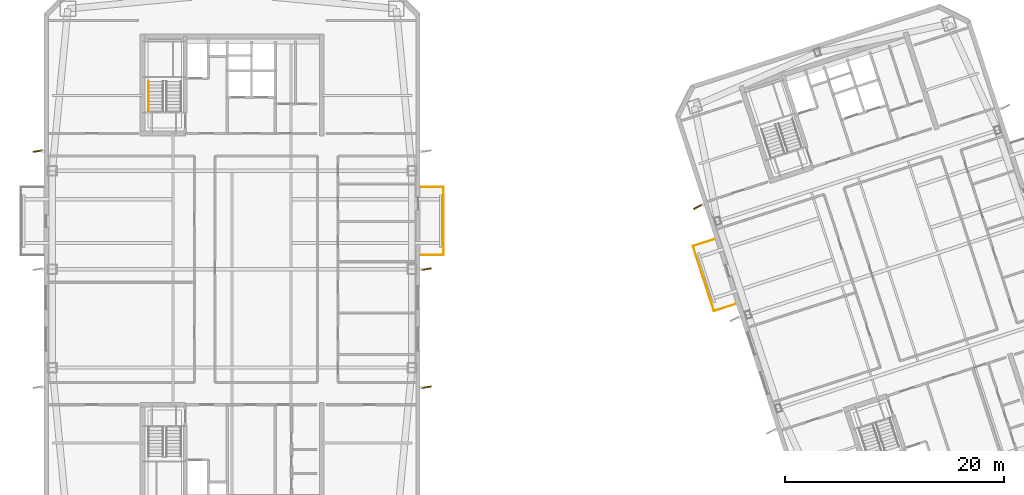
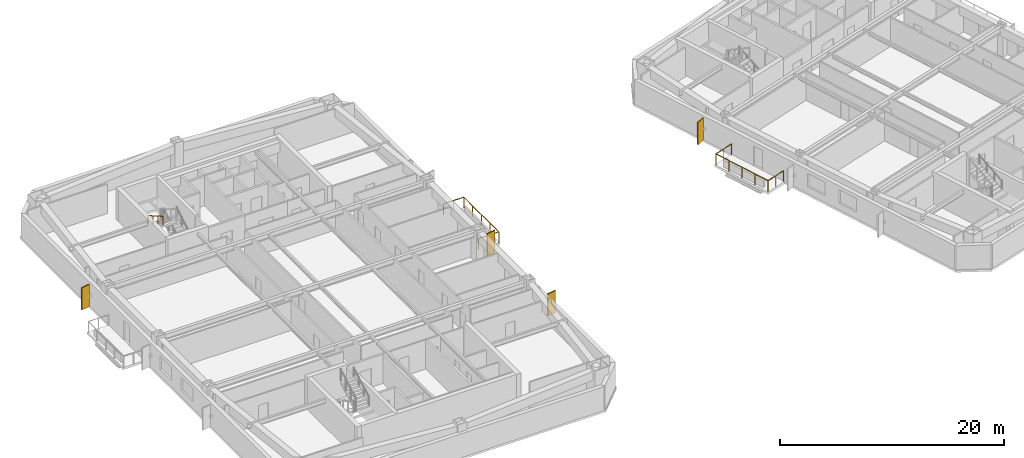
# One storey, part 14 of 17: 4 shading devices, 3 railings.
"""IFC4 building model written with IfcOpenShell, lengths in metres."""

from ifc_helpers import new_model, si_unit, direction, frame, origin, origin_2d, place, context, subcontext, project, spatial, rectangle, circle, extrude, material, layer, layer_set, type_object, element, save


model = new_model("IFC4")

# Units and contexts
model_context = context("Model", 3, precision=1e-05, world=origin(), true_north=direction((0.0, 1.0)))
body_context = subcontext(model_context, "Body", "Model", "MODEL_VIEW")
ifc_project = project(units=[si_unit("LENGTHUNIT", "METRE"), si_unit("AREAUNIT", "SQUARE_METRE"), si_unit("VOLUMEUNIT", "CUBIC_METRE"), si_unit("PLANEANGLEUNIT", "RADIAN"), si_unit("MASSUNIT", "GRAM", prefix="KILO")], contexts=[model_context])

# Site, building, storey
site_placement = place(None, origin())
site = spatial("IfcSite", under=ifc_project, at=site_placement, CompositionType="ELEMENT")
building_placement = place(site_placement, origin())
building = spatial("IfcBuilding", under=site, at=building_placement, Name="Qiaolan Cultural Towers", CompositionType="ELEMENT")
storey_placement = place(building_placement, frame((0.0, 0.0, 205.85009765625)))
storey = spatial("IfcBuildingStorey", under=building, at=storey_placement, Name="L55", CompositionType="ELEMENT", Elevation=205.85009765625)

# Railings
ifc_material_1 = material(Name="Laminated SentryGlas & Stainless Steel S31608 Balustrade", Category="steel")
railing_type_1 = type_object("IfcRailingType", Name="GRD-TERR-1200", PredefinedType="BALUSTRADE", material=ifc_material_1)
railing_1_placement = place(storey_placement, frame((47.25, 35.280029296875, 0.0)))
element("IfcRailing", 1, at=railing_1_placement, inside=storey, type_object=railing_type_1, Name="L55 T1 Tree Balcony Guardrail E", PredefinedType="BALUSTRADE", context=body_context, shape_type="SweptSolid", body=[
    extrude(circle(Radius=0.02392578125, at=origin_2d()), frame((0.0, 0.0, 1.17578125), z_axis=(1.0, 0.0, 0.0), x_axis=(0.0, 1.0, 0.0)), (0.0, 0.0, 1.0), 2.070068359375),
    extrude(circle(Radius=0.02392578125, at=origin_2d()), frame((2.070068359375, 0.0, 1.17578125), z_axis=(0.0, 1.0, 0.0), x_axis=(-1.0, 0.0, 0.0)), (0.0, 0.0, 1.0), 6.239990234375),
    extrude(circle(Radius=0.02392578125, at=origin_2d()), frame((2.070068359375, 6.239990234375, 1.17578125), z_axis=(-1.0, 0.0, 0.0), x_axis=(0.0, -1.0, 0.0)), (0.0, 0.0, 1.0), 2.070068359375),
    extrude(circle(Radius=0.02099609375, at=origin_2d()), origin(), (0.0, 0.0, 1.0), 1.15185546875),
    extrude(circle(Radius=0.02099609375, at=origin_2d()), frame((1.03515625, 0.0, 0.0)), (0.0, 0.0, 1.0), 1.15185546875),
    extrude(circle(Radius=0.02099609375, at=origin_2d()), frame((2.070068359375, 0.0, 0.0)), (0.0, 0.0, 1.0), 1.15185546875),
    extrude(circle(Radius=0.02099609375, at=origin_2d()), frame((2.070068359375, 1.56005859375, 0.0)), (0.0, 0.0, 1.0), 1.15185546875),
    extrude(circle(Radius=0.02099609375, at=origin_2d()), frame((2.070068359375, 3.1201171875, 0.0)), (0.0, 0.0, 1.0), 1.15185546875),
    extrude(circle(Radius=0.02099609375, at=origin_2d()), frame((2.070068359375, 4.679931640625, 0.0)), (0.0, 0.0, 1.0), 1.15185546875),
    extrude(circle(Radius=0.02099609375, at=origin_2d()), frame((2.070068359375, 6.239990234375, 0.0)), (0.0, 0.0, 1.0), 1.15185546875),
    extrude(circle(Radius=0.02099609375, at=origin_2d()), frame((1.03515625, 6.239990234375, 0.0)), (0.0, 0.0, 1.0), 1.15185546875),
    extrude(circle(Radius=0.02099609375, at=origin_2d()), frame((0.0, 6.239990234375, 0.0)), (0.0, 0.0, 1.0), 1.15185546875),
])
railing_2_placement = place(storey_placement, frame((76.052001953125, 30.81396484375, 0.0)))
element("IfcRailing", 2, at=railing_2_placement, inside=storey, type_object=railing_type_1, Name="L55 T2 Tree Balcony Guardrail W", PredefinedType="BALUSTRADE", context=body_context, shape_type="SweptSolid", body=[
    extrude(circle(Radius=0.02392578125, at=origin_2d()), frame((0.0, 0.0, 1.17578125), z_axis=(-0.951061799618, -0.309000733507, 0.0), x_axis=(0.309000733507, -0.951061799618, 0.0)), (0.0, 0.0, 1.0), 2.070068359375),
    extrude(circle(Radius=0.02392578125, at=origin_2d()), frame((-1.96875, -0.6396484375, 1.17578125), z_axis=(-0.30901175762, 0.951058217804, 0.0), x_axis=(-0.951058217804, -0.30901175762, 0.0)), (0.0, 0.0, 1.0), 6.239990234375),
    extrude(circle(Radius=0.02392578125, at=origin_2d()), frame((-3.89697265625, 5.294921875, 1.17578125), z_axis=(0.951050536716, 0.309035397023, 0.0), x_axis=(-0.309035397023, 0.951050536716, 0.0)), (0.0, 0.0, 1.0), 2.06982421875),
    extrude(circle(Radius=0.02099609375, at=origin_2d()), origin(), (0.0, 0.0, 1.0), 1.15185546875),
    extrude(circle(Radius=0.02099609375, at=origin_2d()), frame((-0.984375, -0.31982421875, 0.0)), (0.0, 0.0, 1.0), 1.15185546875),
    extrude(circle(Radius=0.02099609375, at=origin_2d()), frame((-1.96875, -0.6396484375, 0.0)), (0.0, 0.0, 1.0), 1.15185546875),
    extrude(circle(Radius=0.02099609375, at=origin_2d()), frame((-2.45068359375, 0.843994140625, 0.0)), (0.0, 0.0, 1.0), 1.15185546875),
    extrude(circle(Radius=0.02099609375, at=origin_2d()), frame((-2.932861328125, 2.32763671875, 0.0)), (0.0, 0.0, 1.0), 1.15185546875),
    extrude(circle(Radius=0.02099609375, at=origin_2d()), frame((-3.4150390625, 3.811279296875, 0.0)), (0.0, 0.0, 1.0), 1.15185546875),
    extrude(circle(Radius=0.02099609375, at=origin_2d()), frame((-3.89697265625, 5.294921875, 0.0)), (0.0, 0.0, 1.0), 1.15185546875),
    extrude(circle(Radius=0.02099609375, at=origin_2d()), frame((-2.91259765625, 5.61474609375, 0.0)), (0.0, 0.0, 1.0), 1.15185546875),
    extrude(circle(Radius=0.02099609375, at=origin_2d()), frame((-1.928466796875, 5.9345703125, 0.0)), (0.0, 0.0, 1.0), 1.15185546875),
])
ifc_material_2 = material(Name="Stainless Steel S30408 Tubular Handrail", Category="steel")
railing_type_2 = type_object("IfcRailingType", Name="RL-STAIR-HR", PredefinedType="HANDRAIL", material=ifc_material_2)
railing_3_placement = place(storey_placement, frame((22.35009765625, 51.14990234375, 1.8974609375)))
element("IfcRailing", 3, at=railing_3_placement, inside=storey, type_object=railing_type_2, Name="L55 ST-W2 stair handrail 2", PredefinedType="HANDRAIL", context=body_context, shape_type="SweptSolid", body=[
    extrude(circle(Radius=0.02392578125, at=origin_2d()), frame((0.0, 0.0, 0.8759765625), z_axis=(0.0, -0.866903762492, 0.498475542607), x_axis=(1.0, 0.0, 0.0)), (0.0, 0.0, 1.0), 3.114501953125),
    extrude(circle(Radius=0.02099609375, at=origin_2d()), origin(), (0.0, 0.0, 1.0), 0.851806640625),
    extrude(circle(Radius=0.02099609375, at=origin_2d()), frame((0.0, -0.89990234375, 0.517578125)), (0.0, 0.0, 1.0), 0.851806640625),
    extrude(circle(Radius=0.02099609375, at=origin_2d()), frame((0.0, -1.800048828125, 1.034912109375)), (0.0, 0.0, 1.0), 0.851806640625),
    extrude(circle(Radius=0.02099609375, at=origin_2d()), frame((0.0, -2.699951171875, 1.552490234375)), (0.0, 0.0, 1.0), 0.851806640625),
])

# Shading devices
ifc_material_3 = material(Name="Light Limestone Precast Vertical Fin", Category="masonry")
ifc_layer = layer(ifc_material_3, 0.1201171875)
ifc_layer_set = layer_set([ifc_layer], Name="Light Limestone Precast Vertical Fin")
shading_device_type = type_object("IfcShadingDeviceType", Name="SHD-FIN-WHITE", PredefinedType="USERDEFINED", material=ifc_layer_set)
for number, where, z_axis, x_axis, name in (
    (4, (12.239990234375, 44.800048828125, 0.10009765625), (0.0, 0.0, 1.0), (0.98587406802, 0.167488274236, 0.0), "L55 T1 Expressive Precast Vertical Fin W3"),
    (5, (47.760009765625, 23.199951171875, 0.10009765625), (0.0, 0.0, 1.0), (0.98587406802, 0.167488274236, 0.0), "L55 T1 Expressive Precast Vertical Fin E1"),
    (6, (47.760009765625, 34.0, 0.10009765625), (0.0, 0.0, 1.0), (0.98587406802, 0.167488274236, 0.0), "L55 T1 Expressive Precast Vertical Fin E2"),
    (7, (72.625, 39.710205078125, 0.10009765625), (0.0, 0.0, 1.0), (0.885865233539, 0.463942655947, 0.0), "L55 T2 Expressive Precast Vertical Fin W3"),
):
    element("IfcShadingDevice", number, at=place(storey_placement, frame(where, z_axis=z_axis, x_axis=x_axis)), inside=storey, type_object=shading_device_type, Name=name, ObjectType="FIN", PredefinedType="USERDEFINED", context=body_context, shape_type="SweptSolid", body=[
        extrude(rectangle(XDim=0.89990234375, YDim=0.1201171875, at=origin_2d()), origin(), (0.0, 0.0, 1.0), 2.409912109375),
    ])

save(model, "model.ifc")
